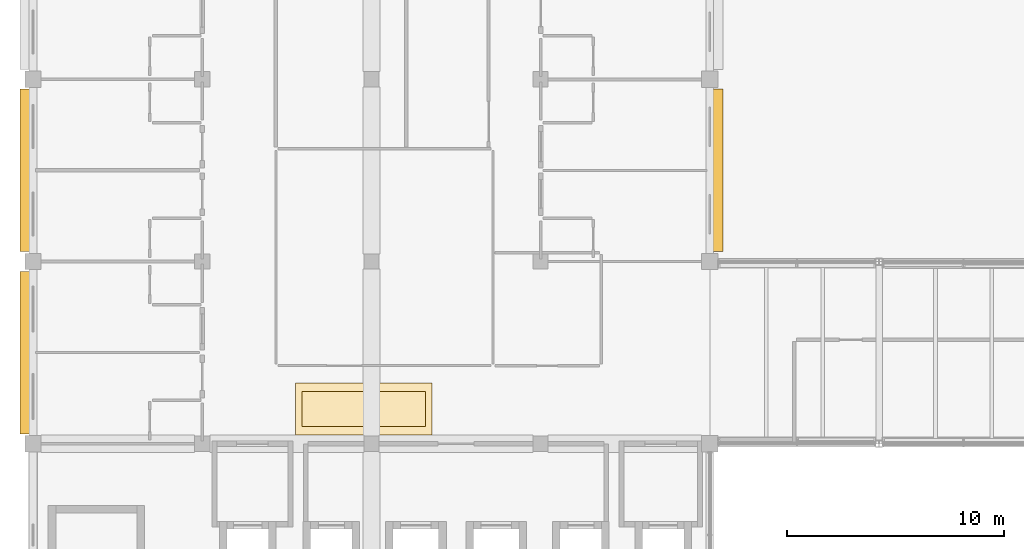
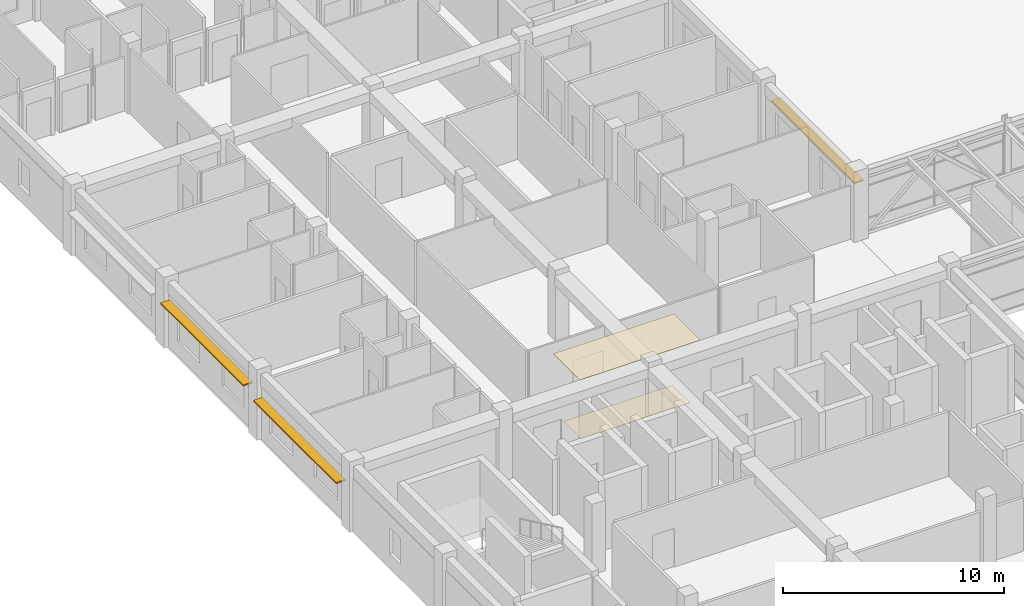
# One storey, part 66 of 72: 3 shading devices, 2 coverings.
"""IFC4 building model written with IfcOpenShell, lengths in metres."""

from ifc_helpers import new_model, si_unit, direction, frame, origin, origin_2d, place, context, subcontext, project, spatial, polyline, rectangle, outline, extrude, material, layer, layer_set, type_object, element, save


model = new_model("IFC4")

# Units and contexts
model_context = context("Model", 3, precision=1e-05, world=origin(), true_north=direction((0.0, 1.0)))
body_context = subcontext(model_context, "Body", "Model", "MODEL_VIEW")
ifc_project = project(units=[si_unit("LENGTHUNIT", "METRE"), si_unit("AREAUNIT", "SQUARE_METRE"), si_unit("VOLUMEUNIT", "CUBIC_METRE"), si_unit("PLANEANGLEUNIT", "RADIAN"), si_unit("MASSUNIT", "GRAM", prefix="KILO"), si_unit("THERMODYNAMICTEMPERATUREUNIT", "KELVIN"), si_unit("POWERUNIT", "WATT")], contexts=[model_context])

# Site, building, storey
site_placement = place(None, origin())
site = spatial("IfcSite", under=ifc_project, at=site_placement, CompositionType="ELEMENT")
building_placement = place(site_placement, origin())
building = spatial("IfcBuilding", under=site, at=building_placement, Name="Srebrne Nadtorze General Hospital", CompositionType="ELEMENT")
storey_placement = place(building_placement, frame((0.0, 0.0, 22.199951171875)))
storey = spatial("IfcBuildingStorey", under=building, at=storey_placement, Name="L05", CompositionType="ELEMENT", Elevation=22.199951171875)

# Covering
ifc_material_1 = material(Name="Medical Vinyl Flooring")
ifc_layer_1 = layer(ifc_material_1, 0.006103515625)
ifc_layer_set_1 = layer_set([ifc_layer_1], Name="Medical Vinyl Flooring")
covering_type_1 = type_object("IfcCoveringType", Name="Antistatic medical vinyl flooring", PredefinedType="FLOORING", material=ifc_layer_set_1)
covering_1_placement = place(storey_placement, origin())
element("IfcCovering", 1, at=covering_1_placement, inside=storey, type_object=covering_type_1, Name="Medical vinyl flooring L05", PredefinedType="FLOORING", context=body_context, shape_type="SweptSolid", body=[
    extrude(outline(polyline([(35.800048828125, 51.199951171875), (41.5, 51.199951171875), (41.5, 52.800048828125), (35.800048828125, 52.800048828125), (35.800048828125, 51.199951171875)])), origin(), (0.0, 0.0, 1.0), 0.006103515625),
])

# Shading devices
ifc_material_2 = material(Name="Anodised Aluminium", Category="aluminium")
ifc_layer_2 = layer(ifc_material_2, 0.080078125)
ifc_layer_set_2 = layer_set([ifc_layer_2], Name="Anodised Aluminium")
shading_device_type = type_object("IfcShadingDeviceType", Name="Hisashi horizontal aluminium sunshade", PredefinedType="JALOUSIE", material=ifc_layer_set_2)
for number, where, z_axis, x_axis, name in (
    (2, (23.0400390625, 54.60009765625, 2.27001953125), (0.0, 0.0, 1.0), (1.0, 0.0, 0.0), "Hisashi horizontal sunshade eave LV-318"),
    (3, (23.0400390625, 63.0, 2.570068359375), (0.0, 0.0, 1.0), (1.0, 0.0, 0.0), "Hisashi horizontal sunshade eave LV-319"),
    (4, (54.9599609375, 63.0, 2.570068359375), (0.0, 0.0, 1.0), (1.0, 0.0, 0.0), "Hisashi horizontal sunshade eave LV-324"),
):
    element("IfcShadingDevice", number, at=place(storey_placement, frame(where, z_axis=z_axis, x_axis=x_axis)), inside=storey, type_object=shading_device_type, Name=name, PredefinedType="JALOUSIE", context=body_context, shape_type="SweptSolid", body=[
        extrude(rectangle(XDim=0.47998046875, YDim=7.489990234375, at=origin_2d()), origin(), (0.0, 0.0, 1.0), 0.080078125),
    ])

# Covering
ifc_material_3 = material(Name="Acoustic Mineral Ceiling")
ifc_layer_3 = layer(ifc_material_3, 0.014892578125)
ifc_layer_set_3 = layer_set([ifc_layer_3], Name="Acoustic Mineral Ceiling")
covering_type_2 = type_object("IfcCoveringType", Name="Hygienic acoustic ceiling tile", PredefinedType="CEILING", material=ifc_layer_set_3)
covering_2_placement = place(storey_placement, frame((0.0, 0.0, 3.5849609375)))
element("IfcCovering", 5, at=covering_2_placement, inside=storey, type_object=covering_type_2, Name="Acoustic ceiling L05", PredefinedType="CEILING", context=body_context, shape_type="SweptSolid", body=[
    extrude(outline(polyline([(35.5, 50.800048828125), (41.800048828125, 50.800048828125), (41.800048828125, 53.199951171875), (35.5, 53.199951171875), (35.5, 50.800048828125)])), origin(), (0.0, 0.0, 1.0), 0.01513671875),
])

save(model, "model.ifc")
